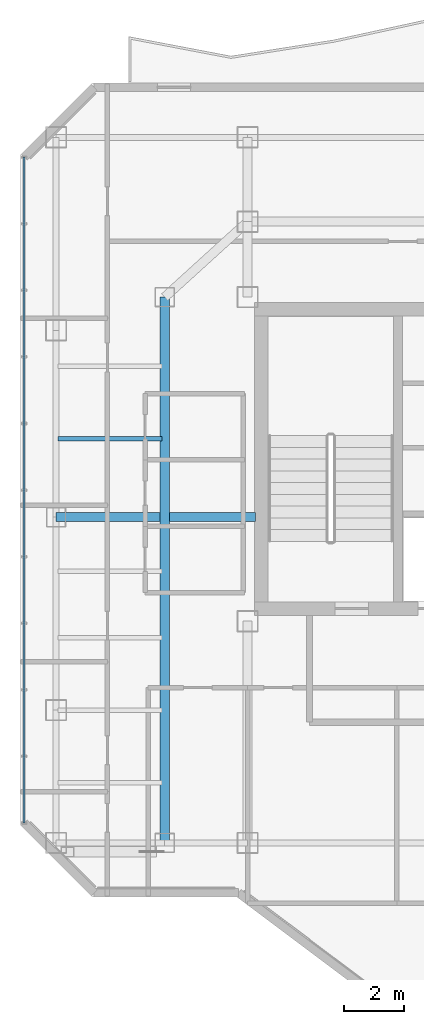
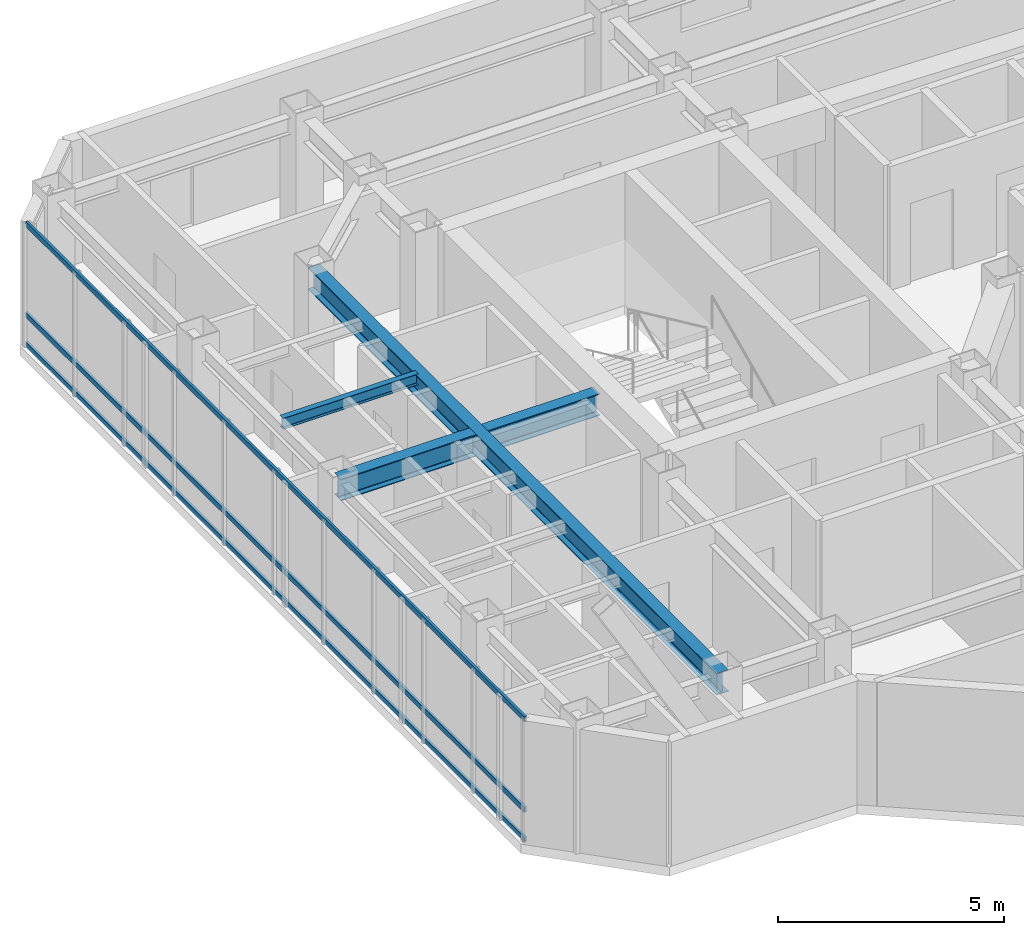
# One storey, part 7 of 26: 4 beams, 3 members, 1 element without a shape of its own.
"""IFC4 building model written with IfcOpenShell, lengths in metres."""

from ifc_helpers import new_model, si_unit, direction, frame, origin, origin_2d, place, context, subcontext, project, spatial, hollow_rectangle, i_section, extrude, material, layer, layer_set, material_profile, profile_set, type_object, element, aggregate, save


model = new_model("IFC4")

# Units and contexts
model_context = context("Model", 3, precision=1e-05, world=origin(), true_north=direction((0.0, 1.0)))
body_context = subcontext(model_context, "Body", "Model", "MODEL_VIEW")
ifc_project = project(units=[si_unit("LENGTHUNIT", "METRE"), si_unit("AREAUNIT", "SQUARE_METRE"), si_unit("VOLUMEUNIT", "CUBIC_METRE"), si_unit("PLANEANGLEUNIT", "RADIAN"), si_unit("MASSUNIT", "GRAM", prefix="KILO")], contexts=[model_context])

# Site, building, storey
site_placement = place(None, origin())
site = spatial("IfcSite", under=ifc_project, at=site_placement, CompositionType="ELEMENT")
building_placement = place(site_placement, origin())
building = spatial("IfcBuilding", under=site, at=building_placement, Name="Hatsunagi Terrace Concourse", CompositionType="ELEMENT")
storey_placement = place(building_placement, frame((0.0, 0.0, 227.550048828125)))
storey = spatial("IfcBuildingStorey", under=building, at=storey_placement, Name="L60", CompositionType="ELEMENT", Elevation=227.550048828125)

# Curtain wall, members
ifc_material_1 = material(Name="Anodised Aluminium Alloy 6063-T5", Category="aluminium")
ifc_layer = layer(ifc_material_1, 0.199951171875)
ifc_layer_set = layer_set([ifc_layer], Name="OfficeZone2_CW04")
curtain_wall_type = type_object("IfcCurtainWallType", Name="OfficeZone2_CW04", PredefinedType="NOTDEFINED", material=ifc_layer_set)
curtain_wall_placement = place(storey_placement, origin())
curtain_wall = element("IfcCurtainWall", 1, at=curtain_wall_placement, inside=storey, type_object=curtain_wall_type, Name="Unitised Curtain Wall CW-04 CW-L60-08", PredefinedType="NOTDEFINED")
ifc_material_2 = material(Name="Anodised Aluminium Alloy 6063-T5", Category="aluminium")
ifc_material_profile_1 = material_profile(ifc_material_2, hollow_rectangle(XDim=0.06494140625, YDim=0.139892578125, WallThickness=0.00390625, at=origin_2d()), Name="ALU-TRN-140x65x4")
ifc_profile_set_1 = profile_set([ifc_material_profile_1], Name="Anodised Aluminium Alloy 6063-T5")
member_type = type_object("IfcMemberType", Name="CurtainWallTransom_140x65", PredefinedType="USERDEFINED", material=ifc_profile_set_1)
member_1_placement = place(storey_placement, frame((18.139892578125, 25.85791015625, 0.050048828125), z_axis=(0.0, 1.0, 0.0), x_axis=(-1.0, 0.0, 0.0)))
member_1 = element("IfcMember", 2, at=member_1_placement, type_object=member_type, Name="Curtain Wall Transom TRN-02", ObjectType="TRANSOM", PredefinedType="USERDEFINED", context=body_context, shape_type="SweptSolid", body=[
    extrude(hollow_rectangle(XDim=0.06494140625, YDim=0.139892578125, WallThickness=0.00390625, at=origin_2d()), origin(), (0.0, 0.0, 1.0), 22.083984375),
])
member_2_placement = place(storey_placement, frame((18.139892578125, 25.85791015625, 0.849853515625), z_axis=(0.0, 1.0, 0.0), x_axis=(-1.0, 0.0, 0.0)))
member_2 = element("IfcMember", 3, at=member_2_placement, type_object=member_type, Name="Curtain Wall Transom TRN-02", ObjectType="TRANSOM", PredefinedType="USERDEFINED", context=body_context, shape_type="SweptSolid", body=[
    extrude(hollow_rectangle(XDim=0.06494140625, YDim=0.139892578125, WallThickness=0.00390625, at=origin_2d()), origin(), (0.0, 0.0, 1.0), 22.083984375),
])
member_3_placement = place(storey_placement, frame((18.139892578125, 25.85791015625, 3.300048828125), z_axis=(0.0, 1.0, 0.0), x_axis=(-1.0, 0.0, 0.0)))
member_3 = element("IfcMember", 4, at=member_3_placement, type_object=member_type, Name="Curtain Wall Transom TRN-02", ObjectType="TRANSOM", PredefinedType="USERDEFINED", context=body_context, shape_type="SweptSolid", body=[
    extrude(hollow_rectangle(XDim=0.06494140625, YDim=0.139892578125, WallThickness=0.00390625, at=origin_2d()), origin(), (0.0, 0.0, 1.0), 22.083984375),
])
aggregate(curtain_wall, [member_1, member_2, member_3])

# Beams
ifc_material_3 = material(Name="Steel SN490B", Category="steel")
ifc_material_profile_2 = material_profile(ifc_material_3, i_section(OverallWidth=0.300048828125, OverallDepth=0.587890625, WebThickness=0.011962890625, FlangeThickness=0.02001953125, FilletRadius=0.01806640625, at=origin_2d()), Name="H-588x300x12x20")
ifc_profile_set_2 = profile_set([ifc_material_profile_2], Name="Steel SN490B")
beam_type_1 = type_object("IfcBeamType", Name="OfficeHighGirder_H_588x300", PredefinedType="BEAM", material=ifc_profile_set_2)
beam_1_placement = place(storey_placement, frame((22.800048828125, 25.199951171875, 3.055908203125), z_axis=(0.0, 1.0, 0.0), x_axis=(-1.0, 0.0, 0.0)))
element("IfcBeam", 5, at=beam_1_placement, inside=storey, type_object=beam_type_1, Name="Beam G-06 BM-L60-CWNS", PredefinedType="BEAM", context=body_context, shape_type="SweptSolid", body=[
    extrude(i_section(OverallWidth=0.300048828125, OverallDepth=0.587890625, WebThickness=0.011962890625, FlangeThickness=0.02001953125, FilletRadius=0.01806640625, at=origin_2d()), origin(), (0.0, 0.0, 1.0), 18.10009765625),
])
beam_2_placement = place(storey_placement, frame((19.199951171875, 36.0, 3.055908203125), z_axis=(1.0, 0.0, 0.0), x_axis=(0.0, 1.0, 0.0)))
element("IfcBeam", 6, at=beam_2_placement, inside=storey, type_object=beam_type_1, Name="Beam G-06 BM-L60-EW-3", PredefinedType="BEAM", context=body_context, shape_type="SweptSolid", body=[
    extrude(i_section(OverallWidth=0.300048828125, OverallDepth=0.587890625, WebThickness=0.011962890625, FlangeThickness=0.02001953125, FilletRadius=0.01806640625, at=origin_2d()), origin(), (0.0, 0.0, 1.0), 3.449951171875),
])
beam_3_placement = place(storey_placement, frame((22.949951171875, 36.0, 3.055908203125), z_axis=(1.0, 0.0, 0.0), x_axis=(0.0, 1.0, 0.0)))
element("IfcBeam", 7, at=beam_3_placement, inside=storey, type_object=beam_type_1, Name="Beam G-06 BM-L60-EW-4", PredefinedType="BEAM", context=body_context, shape_type="SweptSolid", body=[
    extrude(i_section(OverallWidth=0.300048828125, OverallDepth=0.587890625, WebThickness=0.011962890625, FlangeThickness=0.02001953125, FilletRadius=0.01806640625, at=origin_2d()), origin(), (0.0, 0.0, 1.0), 2.860107421875),
])
ifc_material_4 = material(Name="Steel SN490B", Category="steel")
ifc_material_profile_3 = material_profile(ifc_material_4, i_section(OverallWidth=0.14990234375, OverallDepth=0.300048828125, WebThickness=0.006591796875, FlangeThickness=0.009033203125, FilletRadius=0.010986328125, at=origin_2d()), Name="H-300x150x6.5x9")
ifc_profile_set_3 = profile_set([ifc_material_profile_3], Name="Steel SN490B")
beam_type_2 = type_object("IfcBeamType", Name="OfficeJoist_H_300x150", PredefinedType="JOIST", material=ifc_profile_set_3)
beam_4_placement = place(storey_placement, frame((19.264892578125, 38.60009765625, 3.199951171875), z_axis=(1.0, 0.0, 0.0), x_axis=(0.0, 1.0, 0.0)))
element("IfcBeam", 8, at=beam_4_placement, inside=storey, type_object=beam_type_2, Name="Beam J-03 J-L60-W-19-386", PredefinedType="JOIST", context=body_context, shape_type="SweptSolid", body=[
    extrude(i_section(OverallWidth=0.14990234375, OverallDepth=0.300048828125, WebThickness=0.006591796875, FlangeThickness=0.009033203125, FilletRadius=0.010986328125, at=origin_2d()), origin(), (0.0, 0.0, 1.0), 3.4501953125),
])

save(model, "model.ifc")
